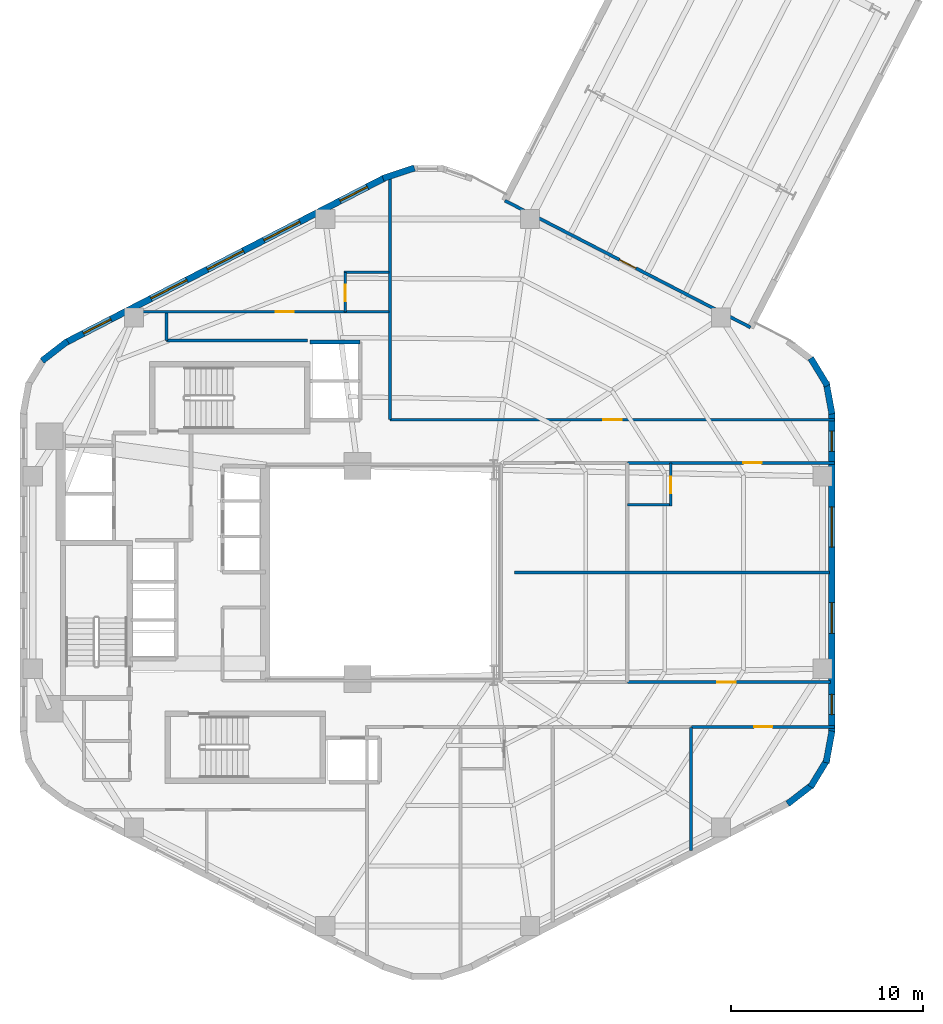
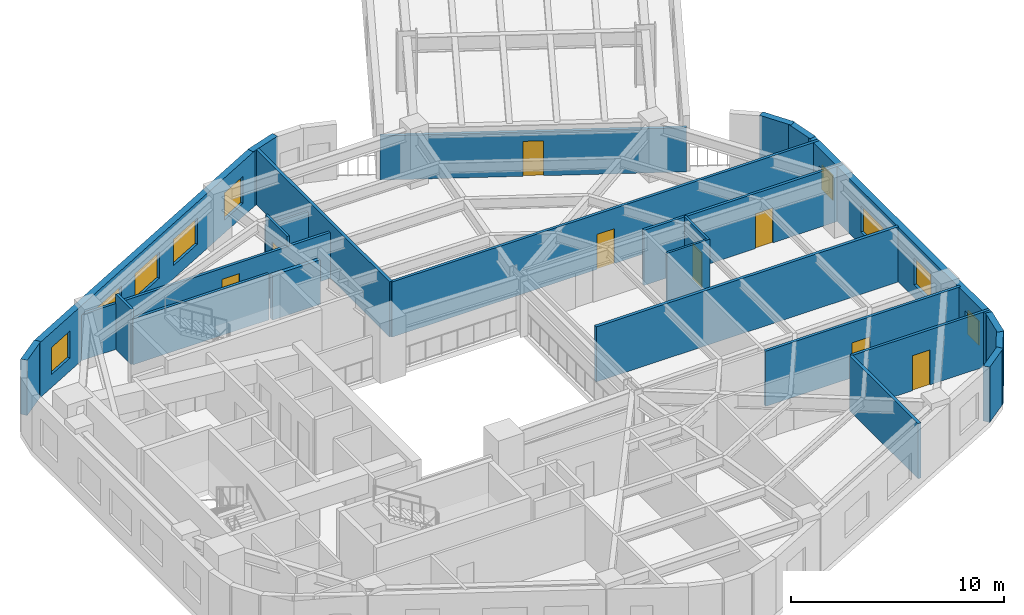
# One storey, part 7 of 10: 25 walls, 9 windows, 8 doors, 17 openings.
"""IFC4 building model written with IfcOpenShell, lengths in metres."""

from ifc_helpers import new_model, si_unit, direction, frame, frame_2d, origin, place, context, subcontext, project, spatial, rectangle, extrude, material, layer, layer_set, type_object, element, fill, save


model = new_model("IFC4")

# Units and contexts
model_context = context("Model", 3, precision=1e-05, world=origin(), true_north=direction((0.0, 1.0)))
body_context = subcontext(model_context, "Body", "Model", "MODEL_VIEW")
ifc_project = project(units=[si_unit("LENGTHUNIT", "METRE"), si_unit("AREAUNIT", "SQUARE_METRE"), si_unit("VOLUMEUNIT", "CUBIC_METRE"), si_unit("PLANEANGLEUNIT", "RADIAN"), si_unit("MASSUNIT", "GRAM", prefix="KILO"), si_unit("THERMODYNAMICTEMPERATUREUNIT", "KELVIN"), si_unit("POWERUNIT", "WATT")], contexts=[model_context])

# Site, building, storey
site_placement = place(None, origin())
site = spatial("IfcSite", under=ifc_project, at=site_placement, CompositionType="ELEMENT")
building_placement = place(site_placement, origin())
building = spatial("IfcBuilding", under=site, at=building_placement, Name="Skarre Station Tower", CompositionType="ELEMENT")
storey_placement = place(building_placement, frame((0.0, 0.0, 111.89990234375)))
storey = spatial("IfcBuildingStorey", under=building, at=storey_placement, Name="L29", CompositionType="ELEMENT", Elevation=111.89990234375)

# Wall, opening, door
ifc_material_1 = material(Name="Acoustic Steel-Stud Gypsum Partition", Category="steel")
ifc_layer_1 = layer(ifc_material_1, 0.14990234375, Name="Acoustic Steel-Stud Gypsum Partition")
ifc_layer_set_1 = layer_set([ifc_layer_1], Name="Acoustic Steel-Stud Gypsum Partition")
wall_type_1 = type_object("IfcWallType", Name="Fire-Rated Corridor Acoustic Partition 150", PredefinedType="PARTITIONING", material=ifc_layer_set_1)
wall_1_placement = place(storey_placement, frame((34.0, 37.580078125, 0.0), z_axis=(0.0, 0.0, 1.0), x_axis=(-1.0, 0.0, 0.0)))
wall_1 = element("IfcWall", 1, at=wall_1_placement, inside=storey, type_object=wall_type_1, Name="L29 Interior Partition WL-PT-L29-NWW1-CW", PredefinedType="PARTITIONING", context=body_context, shape_type="SweptSolid", body=[
    extrude(rectangle(XDim=13.70703125, YDim=0.14990234375, at=frame_2d((6.853515625, 0.0))), origin(), (0.0, 0.0, 1.0), 2.627197265625),
])
opening_1_placement = place(wall_1_placement, frame((4.9599609375, 0.0, 0.0)))
opening_1 = element("IfcOpeningElement", 2, at=opening_1_placement, cuts=wall_1, Name="Opening DR-FD60", PredefinedType="OPENING", context=body_context, shape_type="SweptSolid", body=[
    extrude(rectangle(XDim=0.9599609375, YDim=2.0, at=frame_2d((0.47998046875, 1.0))), frame((0.0, 0.0849609375, 0.0), z_axis=(0.0, -1.0, 0.0), x_axis=(1.0, 0.0, 0.0)), (0.0, 0.0, 1.0), 0.169921875),
])
ifc_material_2 = material(Name="Nordic White-Oak Veneer Solid-Core Fire Leaf", Category="wood")
door_type_1 = type_object("IfcDoorType", Name="Corridor Suite Entry Fire Door FD60 960x2150", OperationType="SINGLE_SWING_LEFT", PredefinedType="DOOR", material=ifc_material_2)
door_1_placement = place(opening_1_placement, origin())
door_1 = element("IfcDoor", 3, at=door_1_placement, inside=storey, type_object=door_type_1, Name="L29 NWW1 Entry Door", OperationType="SINGLE_SWING_LEFT", OverallHeight=2.0, OverallWidth=0.9599609375, PredefinedType="DOOR", context=body_context, shape_type="SweptSolid", body=[
    extrude(rectangle(XDim=0.9599609375, YDim=2.0, at=frame_2d((0.47998046875, 1.0))), frame((0.0, 0.02490234375, 0.0), z_axis=(0.0, -1.0, 0.0), x_axis=(1.0, 0.0, 0.0)), (0.0, 0.0, 1.0), 0.050048828125),
])
fill(opening_1, door_1)

wall_2_placement = place(storey_placement, frame((57.2080078125, 31.9599609375, 0.0), z_axis=(0.0, 0.0, 1.0), x_axis=(-1.0, 0.0, 0.0)))
wall_2 = element("IfcWall", 4, at=wall_2_placement, inside=storey, type_object=wall_type_1, Name="L29 Interior Partition WL-PT-L29-NW1-CW", PredefinedType="PARTITIONING", context=body_context, shape_type="SweptSolid", body=[
    extrude(rectangle(XDim=23.16796875, YDim=0.14990234375, at=frame_2d((11.583984375, 0.0))), origin(), (0.0, 0.0, 1.0), 3.16015625),
])
opening_2_placement = place(wall_2_placement, frame((11.090087890625, 0.0, 0.0)))
opening_2 = element("IfcOpeningElement", 5, at=opening_2_placement, cuts=wall_2, Name="Opening DR-FD60", PredefinedType="OPENING", context=body_context, shape_type="SweptSolid", body=[
    extrude(rectangle(XDim=0.9599609375, YDim=2.0, at=frame_2d((0.47998046875, 1.0))), frame((0.0, 0.0849609375, 0.0), z_axis=(0.0, -1.0, 0.0), x_axis=(1.0, 0.0, 0.0)), (0.0, 0.0, 1.0), 0.169921875),
])
door_2_placement = place(opening_2_placement, origin())
door_2 = element("IfcDoor", 6, at=door_2_placement, inside=storey, type_object=door_type_1, Name="L29 NW1 Entry Door", OperationType="SINGLE_SWING_LEFT", OverallHeight=2.0, OverallWidth=0.9599609375, PredefinedType="DOOR", context=body_context, shape_type="SweptSolid", body=[
    extrude(rectangle(XDim=0.9599609375, YDim=2.0, at=frame_2d((0.47998046875, 1.0))), frame((0.0, 0.02490234375, 0.0), z_axis=(0.0, -1.0, 0.0), x_axis=(1.0, 0.0, 0.0)), (0.0, 0.0, 1.0), 0.050048828125),
])
fill(opening_2, door_2)

wall_3_placement = place(storey_placement, frame((46.4130859375, 29.7099609375, 0.0), z_axis=(0.0, 0.0, 1.0), x_axis=(1.0, 0.0, 0.0)))
wall_3 = element("IfcWall", 7, at=wall_3_placement, inside=storey, type_object=wall_type_1, Name="L29 Interior Partition WL-PT-L29-EWN2-CW", PredefinedType="PARTITIONING", context=body_context, shape_type="SweptSolid", body=[
    extrude(rectangle(XDim=10.794921875, YDim=0.14990234375, at=frame_2d((5.3974609375, 0.0))), origin(), (0.0, 0.0, 1.0), 3.16015625),
])
opening_3_placement = place(wall_3_placement, frame((6.031982421875, 0.0, 0.0)))
opening_3 = element("IfcOpeningElement", 8, at=opening_3_placement, cuts=wall_3, Name="Opening DR-FD60", PredefinedType="OPENING", context=body_context, shape_type="SweptSolid", body=[
    extrude(rectangle(XDim=0.9599609375, YDim=2.0, at=frame_2d((0.47998046875, 1.0))), frame((0.0, 0.0849609375, 0.0), z_axis=(0.0, -1.0, 0.0), x_axis=(1.0, 0.0, 0.0)), (0.0, 0.0, 1.0), 0.169921875),
])
door_3_placement = place(opening_3_placement, origin())
door_3 = element("IfcDoor", 9, at=door_3_placement, inside=storey, type_object=door_type_1, Name="L29 EWN2 Entry Door", OperationType="SINGLE_SWING_LEFT", OverallHeight=2.0, OverallWidth=0.9599609375, PredefinedType="DOOR", context=body_context, shape_type="SweptSolid", body=[
    extrude(rectangle(XDim=0.9599609375, YDim=2.0, at=frame_2d((0.47998046875, 1.0))), frame((0.0, 0.02490234375, 0.0), z_axis=(0.0, -1.0, 0.0), x_axis=(1.0, 0.0, 0.0)), (0.0, 0.0, 1.0), 0.050048828125),
])
fill(opening_3, door_3)

wall_4_placement = place(storey_placement, frame((56.988037109375, 18.2900390625, 0.0), z_axis=(0.0, 0.0, 1.0), x_axis=(-1.0, 0.0, 0.0)))
wall_4 = element("IfcWall", 10, at=wall_4_placement, inside=storey, type_object=wall_type_1, Name="L29 Interior Partition WL-PT-L29-EWS2-CW", PredefinedType="PARTITIONING", context=body_context, shape_type="SweptSolid", body=[
    extrude(rectangle(XDim=10.5849609375, YDim=0.14990234375, at=frame_2d((5.29248046875, 0.0))), origin(), (0.0, 0.0, 1.0), 3.16015625),
])
opening_4_placement = place(wall_4_placement, frame((4.931884765625, 0.0, 0.0)))
opening_4 = element("IfcOpeningElement", 11, at=opening_4_placement, cuts=wall_4, Name="Opening DR-FD60", PredefinedType="OPENING", context=body_context, shape_type="SweptSolid", body=[
    extrude(rectangle(XDim=0.9599609375, YDim=2.0, at=frame_2d((0.47998046875, 1.0))), frame((0.0, 0.0849609375, 0.0), z_axis=(0.0, -1.0, 0.0), x_axis=(1.0, 0.0, 0.0)), (0.0, 0.0, 1.0), 0.169921875),
])
door_4_placement = place(opening_4_placement, origin())
door_4 = element("IfcDoor", 12, at=door_4_placement, inside=storey, type_object=door_type_1, Name="L29 EWS2 Entry Door", OperationType="SINGLE_SWING_LEFT", OverallHeight=2.0, OverallWidth=0.9599609375, PredefinedType="DOOR", context=body_context, shape_type="SweptSolid", body=[
    extrude(rectangle(XDim=0.9599609375, YDim=2.0, at=frame_2d((0.47998046875, 1.0))), frame((0.0, 0.02490234375, 0.0), z_axis=(0.0, -1.0, 0.0), x_axis=(1.0, 0.0, 0.0)), (0.0, 0.0, 1.0), 0.050048828125),
])
fill(opening_4, door_4)

wall_5_placement = place(storey_placement, frame((49.737060546875, 15.9599609375, 0.0), z_axis=(0.0, 0.0, 1.0), x_axis=(1.0, 0.0, 0.0)))
wall_5 = element("IfcWall", 13, at=wall_5_placement, inside=storey, type_object=wall_type_1, Name="L29 Interior Partition WL-PT-L29-SW4-CW", PredefinedType="PARTITIONING", context=body_context, shape_type="SweptSolid", body=[
    extrude(rectangle(XDim=7.470947265625, YDim=0.14990234375, at=frame_2d((3.7353515625, 0.0))), origin(), (0.0, 0.0, 1.0), 3.16015625),
])
opening_5_placement = place(wall_5_placement, frame((3.26904296875, 0.0, 0.0)))
opening_5 = element("IfcOpeningElement", 14, at=opening_5_placement, cuts=wall_5, Name="Opening DR-FD60", PredefinedType="OPENING", context=body_context, shape_type="SweptSolid", body=[
    extrude(rectangle(XDim=0.9599609375, YDim=2.0, at=frame_2d((0.47998046875, 1.0))), frame((0.0, 0.0849609375, 0.0), z_axis=(0.0, -1.0, 0.0), x_axis=(1.0, 0.0, 0.0)), (0.0, 0.0, 1.0), 0.169921875),
])
door_5_placement = place(opening_5_placement, origin())
door_5 = element("IfcDoor", 15, at=door_5_placement, inside=storey, type_object=door_type_1, Name="L29 SW4 Entry Door", OperationType="SINGLE_SWING_LEFT", OverallHeight=2.0, OverallWidth=0.9599609375, PredefinedType="DOOR", context=body_context, shape_type="SweptSolid", body=[
    extrude(rectangle(XDim=0.9599609375, YDim=2.0, at=frame_2d((0.47998046875, 1.0))), frame((0.0, 0.02490234375, 0.0), z_axis=(0.0, -1.0, 0.0), x_axis=(1.0, 0.0, 0.0)), (0.0, 0.0, 1.0), 0.050048828125),
])
fill(opening_5, door_5)

# Walls
wall_6_placement = place(storey_placement, frame((29.7529296875, 36.080078125, 0.0), z_axis=(0.0, 0.0, 1.0), x_axis=(-1.0, 0.0, 0.0)))
element("IfcWall", 16, at=wall_6_placement, inside=storey, type_object=wall_type_1, Name="L29 Interior Partition WL-PT-L29-CSEAL-1", PredefinedType="PARTITIONING", context=body_context, shape_type="SweptSolid", body=[
    extrude(rectangle(XDim=7.35302734375, YDim=0.14990234375, at=frame_2d((3.676513671875, 0.0))), origin(), (0.0, 0.0, 1.0), 2.627197265625),
])
wall_7_placement = place(storey_placement, frame((22.39990234375, 36.080078125, 0.0), z_axis=(0.0, 0.0, 1.0), x_axis=(0.0, 1.0, 0.0)))
element("IfcWall", 17, at=wall_7_placement, inside=storey, type_object=wall_type_1, Name="L29 Interior Partition WL-PT-L29-CSEAL-2", PredefinedType="PARTITIONING", context=body_context, shape_type="SweptSolid", body=[
    extrude(rectangle(XDim=1.429931640625, YDim=0.14990234375, at=frame_2d((0.71484375, 0.0))), origin(), (0.0, 0.0, 1.0), 3.16015625),
])
ifc_material_3 = material(Name="Insulated Timber-Stud Gypsum Partition", Category="wood")
ifc_layer_2 = layer(ifc_material_3, 0.1201171875, Name="Insulated Timber-Stud Gypsum Partition")
ifc_layer_set_2 = layer_set([ifc_layer_2], Name="Insulated Timber-Stud Gypsum Partition")
wall_type_2 = type_object("IfcWallType", Name="Internal Suite Acoustic Partition 120", PredefinedType="PARTITIONING", material=ifc_layer_set_2)
wall_8_placement = place(storey_placement, frame((34.0, 39.639892578125, 0.0), z_axis=(0.0, 0.0, 1.0), x_axis=(-1.0, 0.0, 0.0)))
element("IfcWall", 18, at=wall_8_placement, inside=storey, type_object=wall_type_2, Name="L29 Interior Partition WL-PT-L29-NWW1-EW3", PredefinedType="PARTITIONING", context=body_context, shape_type="SweptSolid", body=[
    extrude(rectangle(XDim=2.340087890625, YDim=0.1201171875, at=frame_2d((1.169921875, 0.0))), origin(), (0.0, 0.0, 1.0), 2.552001953125),
])

# Wall, opening, door
wall_9_placement = place(storey_placement, frame((31.719970703125, 39.639892578125, 0.0), z_axis=(0.0, 0.0, 1.0), x_axis=(0.0, -1.0, 0.0)))
wall_9 = element("IfcWall", 19, at=wall_9_placement, inside=storey, type_object=wall_type_2, Name="L29 Interior Partition WL-PT-L29-NWW1-EW4", PredefinedType="PARTITIONING", context=body_context, shape_type="SweptSolid", body=[
    extrude(rectangle(XDim=2.059814453125, YDim=0.1201171875, at=frame_2d((1.02978515625, 0.0))), origin(), (0.0, 0.0, 1.0), 3.16015625),
])
opening_6_placement = place(wall_9_placement, frame((0.64990234375, 0.0, 0.0)))
opening_6 = element("IfcOpeningElement", 20, at=opening_6_placement, cuts=wall_9, Name="Opening DR-INT86", PredefinedType="OPENING", context=body_context, shape_type="SweptSolid", body=[
    extrude(rectangle(XDim=0.860107421875, YDim=2.0, at=frame_2d((0.43017578125, 1.0))), frame((0.0, 0.070068359375, 0.0), z_axis=(0.0, -1.0, 0.0), x_axis=(1.0, 0.0, 0.0)), (0.0, 0.0, 1.0), 0.14013671875),
])
ifc_material_4 = material(Name="Nordic Birch Acoustic Solid-Core Timber Leaf", Category="wood")
door_type_2 = type_object("IfcDoorType", Name="Internal En-Suite & Bedroom Door 860x2100", OperationType="SINGLE_SWING_LEFT", PredefinedType="DOOR", material=ifc_material_4)
door_6_placement = place(opening_6_placement, origin())
door_6 = element("IfcDoor", 21, at=door_6_placement, inside=storey, type_object=door_type_2, Name="L29 NWW1 En-suite Door", OperationType="SINGLE_SWING_RIGHT", OverallHeight=2.0, OverallWidth=0.860107421875, PredefinedType="DOOR", context=body_context, shape_type="SweptSolid", body=[
    extrude(rectangle(XDim=0.860107421875, YDim=2.0, at=frame_2d((0.43017578125, 1.0))), frame((0.0, 0.02490234375, 0.0), z_axis=(0.0, -1.0, 0.0), x_axis=(1.0, 0.0, 0.0)), (0.0, 0.0, 1.0), 0.050048828125),
])
fill(opening_6, door_6)

wall_10_placement = place(storey_placement, frame((48.673095703125, 27.469970703125, 0.0), z_axis=(0.0, 0.0, 1.0), x_axis=(0.0, 1.0, 0.0)))
wall_10 = element("IfcWall", 22, at=wall_10_placement, inside=storey, type_object=wall_type_2, Name="L29 Interior Partition WL-PT-L29-EWN2-EW2", PredefinedType="PARTITIONING", context=body_context, shape_type="SweptSolid", body=[
    extrude(rectangle(XDim=2.239990234375, YDim=0.1201171875, at=frame_2d((1.1201171875, 0.0))), origin(), (0.0, 0.0, 1.0), 3.16015625),
])
opening_7_placement = place(wall_10_placement, frame((0.64990234375, 0.0, 0.0)))
opening_7 = element("IfcOpeningElement", 23, at=opening_7_placement, cuts=wall_10, Name="Opening DR-INT86", PredefinedType="OPENING", context=body_context, shape_type="SweptSolid", body=[
    extrude(rectangle(XDim=0.860107421875, YDim=2.0, at=frame_2d((0.43017578125, 1.0))), frame((0.0, 0.070068359375, 0.0), z_axis=(0.0, -1.0, 0.0), x_axis=(1.0, 0.0, 0.0)), (0.0, 0.0, 1.0), 0.14013671875),
])
door_7_placement = place(opening_7_placement, origin())
door_7 = element("IfcDoor", 24, at=door_7_placement, inside=storey, type_object=door_type_2, Name="L29 EWN2 En-suite Door", OperationType="SINGLE_SWING_RIGHT", OverallHeight=2.0, OverallWidth=0.860107421875, PredefinedType="DOOR", context=body_context, shape_type="SweptSolid", body=[
    extrude(rectangle(XDim=0.860107421875, YDim=2.0, at=frame_2d((0.43017578125, 1.0))), frame((0.0, 0.02490234375, 0.0), z_axis=(0.0, -1.0, 0.0), x_axis=(1.0, 0.0, 0.0)), (0.0, 0.0, 1.0), 0.050048828125),
])
fill(opening_7, door_7)

# Wall
wall_11_placement = place(storey_placement, frame((46.4130859375, 27.530029296875, 0.0), z_axis=(0.0, 0.0, 1.0), x_axis=(1.0, 0.0, 0.0)))
element("IfcWall", 25, at=wall_11_placement, inside=storey, type_object=wall_type_2, Name="L29 Interior Partition WL-PT-L29-EWN2-EW1", PredefinedType="PARTITIONING", context=body_context, shape_type="SweptSolid", body=[
    extrude(rectangle(XDim=2.31982421875, YDim=0.1201171875, at=frame_2d((1.159912109375, 0.0))), origin(), (0.0, 0.0, 1.0), 3.16015625),
])

# Wall, openings, windows
ifc_material_5 = material(Name="Precast concrete C45/55", Category="concrete")
ifc_layer_3 = layer(ifc_material_5, 0.340087890625, Name="Precast concrete C45/55")
ifc_layer_set_3 = layer_set([ifc_layer_3], Name="Precast concrete C45/55")
wall_type_3 = type_object("IfcWallType", Name="Nordic Honed Precast Facet Wall 340", PredefinedType="STANDARD", material=ifc_layer_set_3)
wall_12_placement = place(storey_placement, frame((17.1689453125, 35.989990234375, 0.0), z_axis=(0.0, 0.0, 1.0), x_axis=(0.888613612362, 0.458656568606, 0.0)))
wall_12 = element("IfcWall", 26, at=wall_12_placement, inside=storey, type_object=wall_type_3, Name="L29 Facet 1 Nordic Precast Masonry Wall", PredefinedType="STANDARD", context=body_context, shape_type="SweptSolid", body=[
    extrude(rectangle(XDim=18.680908203125, YDim=0.340087890625, at=frame_2d((9.34033203125, 0.0))), origin(), (0.0, 0.0, 1.0), 3.16015625),
])
opening_8_placement = place(wall_12_placement, frame((1.02294921875, 0.0, 0.75)))
opening_8 = element("IfcOpeningElement", 27, at=opening_8_placement, cuts=wall_12, Name="Opening WN-Z2A", PredefinedType="OPENING", context=body_context, shape_type="SweptSolid", body=[
    extrude(rectangle(XDim=1.60009765625, YDim=1.550048828125, at=frame_2d((0.800048828125, 0.77490234375))), frame((0.0, 0.179931640625, 0.0), z_axis=(0.0, -1.0, 0.0), x_axis=(1.0, 0.0, 0.0)), (0.0, 0.0, 1.0), 0.360107421875),
])
opening_9_placement = place(wall_12_placement, frame((4.98095703125, 0.0, 0.75)))
opening_9 = element("IfcOpeningElement", 28, at=opening_9_placement, cuts=wall_12, Name="Opening WN-Z2B", PredefinedType="OPENING", context=body_context, shape_type="SweptSolid", body=[
    extrude(rectangle(XDim=2.10009765625, YDim=1.5, at=frame_2d((1.050048828125, 0.75))), frame((0.0, 0.179931640625, 0.0), z_axis=(0.0, -1.0, 0.0), x_axis=(1.0, 0.0, 0.0)), (0.0, 0.0, 1.0), 0.360107421875),
])
opening_10_placement = place(wall_12_placement, frame((8.2900390625, 0.0, 0.75)))
opening_10 = element("IfcOpeningElement", 29, at=opening_10_placement, cuts=wall_12, Name="Opening WN-Z2B", PredefinedType="OPENING", context=body_context, shape_type="SweptSolid", body=[
    extrude(rectangle(XDim=2.10009765625, YDim=1.5, at=frame_2d((1.050048828125, 0.75))), frame((0.0, 0.179931640625, 0.0), z_axis=(0.0, -1.0, 0.0), x_axis=(1.0, 0.0, 0.0)), (0.0, 0.0, 1.0), 0.360107421875),
])
opening_11_placement = place(wall_12_placement, frame((11.60009765625, 0.0, 0.75)))
opening_11 = element("IfcOpeningElement", 30, at=opening_11_placement, cuts=wall_12, Name="Opening WN-Z2B", PredefinedType="OPENING", context=body_context, shape_type="SweptSolid", body=[
    extrude(rectangle(XDim=2.10009765625, YDim=1.5, at=frame_2d((1.050048828125, 0.75))), frame((0.0, 0.179931640625, 0.0), z_axis=(0.0, -1.0, 0.0), x_axis=(1.0, 0.0, 0.0)), (0.0, 0.0, 1.0), 0.360107421875),
])
opening_12_placement = place(wall_12_placement, frame((16.05810546875, 0.0, 0.75)))
opening_12 = element("IfcOpeningElement", 31, at=opening_12_placement, cuts=wall_12, Name="Opening WN-Z2A", PredefinedType="OPENING", context=body_context, shape_type="SweptSolid", body=[
    extrude(rectangle(XDim=1.60009765625, YDim=1.550048828125, at=frame_2d((0.800048828125, 0.77490234375))), frame((0.0, 0.179931640625, 0.0), z_axis=(0.0, -1.0, 0.0), x_axis=(1.0, 0.0, 0.0)), (0.0, 0.0, 1.0), 0.360107421875),
])
ifc_material_6 = material(Name="Low-Iron Triple Glazing with Bronze Anodized Frame", Category="glass")
window_type_1 = type_object("IfcWindowType", Name="Nordic Residential Tall Window 1600x1550", PartitioningType="SINGLE_PANEL", PredefinedType="WINDOW", material=ifc_material_6)
window_1_placement = place(opening_8_placement, origin())
window_1 = element("IfcWindow", 32, at=window_1_placement, inside=storey, type_object=window_type_1, Name="L29 Facade Window WL-FAC-L29-F1-1", OverallHeight=1.550048828125, OverallWidth=1.60009765625, PartitioningType="SINGLE_PANEL", PredefinedType="WINDOW", context=body_context, shape_type="SweptSolid", body=[
    extrude(rectangle(XDim=1.60009765625, YDim=1.550048828125, at=frame_2d((0.800048828125, 0.77490234375))), frame((0.0, 0.030029296875, 0.0), z_axis=(0.0, -1.0, 0.0), x_axis=(1.0, 0.0, 0.0)), (0.0, 0.0, 1.0), 0.06005859375),
])
fill(opening_8, window_1)
window_2_placement = place(opening_12_placement, origin())
window_2 = element("IfcWindow", 33, at=window_2_placement, inside=storey, type_object=window_type_1, Name="L29 Facade Window WL-FAC-L29-F1-5", OverallHeight=1.550048828125, OverallWidth=1.60009765625, PartitioningType="SINGLE_PANEL", PredefinedType="WINDOW", context=body_context, shape_type="SweptSolid", body=[
    extrude(rectangle(XDim=1.60009765625, YDim=1.550048828125, at=frame_2d((0.800048828125, 0.77490234375))), frame((0.0, 0.030029296875, 0.0), z_axis=(0.0, -1.0, 0.0), x_axis=(1.0, 0.0, 0.0)), (0.0, 0.0, 1.0), 0.06005859375),
])
fill(opening_12, window_2)
window_type_2 = type_object("IfcWindowType", Name="Nordic Residential Twin Window 2100x1500", PartitioningType="SINGLE_PANEL", PredefinedType="WINDOW", material=ifc_material_6)
window_3_placement = place(opening_9_placement, origin())
window_3 = element("IfcWindow", 34, at=window_3_placement, inside=storey, type_object=window_type_2, Name="L29 Facade Window WL-FAC-L29-F1-2", OverallHeight=1.5, OverallWidth=2.10009765625, PartitioningType="SINGLE_PANEL", PredefinedType="WINDOW", context=body_context, shape_type="SweptSolid", body=[
    extrude(rectangle(XDim=2.10009765625, YDim=1.5, at=frame_2d((1.050048828125, 0.75))), frame((0.0, 0.030029296875, 0.0), z_axis=(0.0, -1.0, 0.0), x_axis=(1.0, 0.0, 0.0)), (0.0, 0.0, 1.0), 0.06005859375),
])
fill(opening_9, window_3)
window_4_placement = place(opening_10_placement, origin())
window_4 = element("IfcWindow", 35, at=window_4_placement, inside=storey, type_object=window_type_2, Name="L29 Facade Window WL-FAC-L29-F1-3", OverallHeight=1.5, OverallWidth=2.10009765625, PartitioningType="SINGLE_PANEL", PredefinedType="WINDOW", context=body_context, shape_type="SweptSolid", body=[
    extrude(rectangle(XDim=2.10009765625, YDim=1.5, at=frame_2d((1.050048828125, 0.75))), frame((0.0, 0.030029296875, 0.0), z_axis=(0.0, -1.0, 0.0), x_axis=(1.0, 0.0, 0.0)), (0.0, 0.0, 1.0), 0.06005859375),
])
fill(opening_10, window_4)
window_5_placement = place(opening_11_placement, origin())
window_5 = element("IfcWindow", 36, at=window_5_placement, inside=storey, type_object=window_type_2, Name="L29 Facade Window WL-FAC-L29-F1-4", OverallHeight=1.5, OverallWidth=2.10009765625, PartitioningType="SINGLE_PANEL", PredefinedType="WINDOW", context=body_context, shape_type="SweptSolid", body=[
    extrude(rectangle(XDim=2.10009765625, YDim=1.5, at=frame_2d((1.050048828125, 0.75))), frame((0.0, 0.030029296875, 0.0), z_axis=(0.0, -1.0, 0.0), x_axis=(1.0, 0.0, 0.0)), (0.0, 0.0, 1.0), 0.06005859375),
])
fill(opening_11, window_5)

wall_13_placement = place(storey_placement, frame((57.048095703125, 32.35205078125, 0.0), z_axis=(0.0, 0.0, 1.0), x_axis=(0.0, -1.0, 0.0)))
wall_13 = element("IfcWall", 37, at=wall_13_placement, inside=storey, type_object=wall_type_3, Name="L29 Facet 5 Nordic Precast Masonry Wall", PredefinedType="STANDARD", context=body_context, shape_type="SweptSolid", body=[
    extrude(rectangle(XDim=16.7041015625, YDim=0.340087890625, at=frame_2d((8.35205078125, 0.0))), origin(), (0.0, 0.0, 1.0), 3.16015625),
])
opening_13_placement = place(wall_13_placement, frame((0.991943359375, 0.0, 0.75)))
opening_13 = element("IfcOpeningElement", 38, at=opening_13_placement, cuts=wall_13, Name="Opening WN-SLT", PredefinedType="OPENING", context=body_context, shape_type="SweptSolid", body=[
    extrude(rectangle(XDim=1.050048828125, YDim=1.39990234375, at=frame_2d((0.52490234375, 0.699951171875))), frame((0.0, 0.179931640625, 0.0), z_axis=(0.0, -1.0, 0.0), x_axis=(1.0, 0.0, 0.0)), (0.0, 0.0, 1.0), 0.360107421875),
])
opening_14_placement = place(wall_13_placement, frame((4.93505859375, 0.0, 0.75)))
opening_14 = element("IfcOpeningElement", 39, at=opening_14_placement, cuts=wall_13, Name="Opening WN-Z2B", PredefinedType="OPENING", context=body_context, shape_type="SweptSolid", body=[
    extrude(rectangle(XDim=2.10009765625, YDim=1.5, at=frame_2d((1.050048828125, 0.75))), frame((0.0, 0.179931640625, 0.0), z_axis=(0.0, -1.0, 0.0), x_axis=(1.0, 0.0, 0.0)), (0.0, 0.0, 1.0), 0.360107421875),
])
opening_15_placement = place(wall_13_placement, frame((9.9189453125, 0.0, 0.75)))
opening_15 = element("IfcOpeningElement", 40, at=opening_15_placement, cuts=wall_13, Name="Opening WN-Z2A", PredefinedType="OPENING", context=body_context, shape_type="SweptSolid", body=[
    extrude(rectangle(XDim=1.60009765625, YDim=1.550048828125, at=frame_2d((0.800048828125, 0.77490234375))), frame((0.0, 0.179931640625, 0.0), z_axis=(0.0, -1.0, 0.0), x_axis=(1.0, 0.0, 0.0)), (0.0, 0.0, 1.0), 0.360107421875),
])
opening_16_placement = place(wall_13_placement, frame((14.701904296875, 0.0, 0.75)))
opening_16 = element("IfcOpeningElement", 41, at=opening_16_placement, cuts=wall_13, Name="Opening WN-SLT", PredefinedType="OPENING", context=body_context, shape_type="SweptSolid", body=[
    extrude(rectangle(XDim=1.050048828125, YDim=1.39990234375, at=frame_2d((0.52490234375, 0.699951171875))), frame((0.0, 0.179931640625, 0.0), z_axis=(0.0, -1.0, 0.0), x_axis=(1.0, 0.0, 0.0)), (0.0, 0.0, 1.0), 0.360107421875),
])
window_type_3 = type_object("IfcWindowType", Name="Nordic Corner Slot Window 1050x1400", PartitioningType="SINGLE_PANEL", PredefinedType="WINDOW", material=ifc_material_6)
window_6_placement = place(opening_13_placement, origin())
window_6 = element("IfcWindow", 42, at=window_6_placement, inside=storey, type_object=window_type_3, Name="L29 Facade Window WL-FAC-L29-F5-1", OverallHeight=1.39990234375, OverallWidth=1.050048828125, PartitioningType="SINGLE_PANEL", PredefinedType="WINDOW", context=body_context, shape_type="SweptSolid", body=[
    extrude(rectangle(XDim=1.050048828125, YDim=1.39990234375, at=frame_2d((0.52490234375, 0.699951171875))), frame((0.0, 0.030029296875, 0.0), z_axis=(0.0, -1.0, 0.0), x_axis=(1.0, 0.0, 0.0)), (0.0, 0.0, 1.0), 0.06005859375),
])
fill(opening_13, window_6)
window_7_placement = place(opening_16_placement, origin())
window_7 = element("IfcWindow", 43, at=window_7_placement, inside=storey, type_object=window_type_3, Name="L29 Facade Window WL-FAC-L29-F5-4", OverallHeight=1.39990234375, OverallWidth=1.050048828125, PartitioningType="SINGLE_PANEL", PredefinedType="WINDOW", context=body_context, shape_type="SweptSolid", body=[
    extrude(rectangle(XDim=1.050048828125, YDim=1.39990234375, at=frame_2d((0.52490234375, 0.699951171875))), frame((0.0, 0.030029296875, 0.0), z_axis=(0.0, -1.0, 0.0), x_axis=(1.0, 0.0, 0.0)), (0.0, 0.0, 1.0), 0.06005859375),
])
fill(opening_16, window_7)
window_8_placement = place(opening_15_placement, origin())
window_8 = element("IfcWindow", 44, at=window_8_placement, inside=storey, type_object=window_type_1, Name="L29 Facade Window WL-FAC-L29-F5-3", OverallHeight=1.550048828125, OverallWidth=1.60009765625, PartitioningType="SINGLE_PANEL", PredefinedType="WINDOW", context=body_context, shape_type="SweptSolid", body=[
    extrude(rectangle(XDim=1.60009765625, YDim=1.550048828125, at=frame_2d((0.800048828125, 0.77490234375))), frame((0.0, 0.030029296875, 0.0), z_axis=(0.0, -1.0, 0.0), x_axis=(1.0, 0.0, 0.0)), (0.0, 0.0, 1.0), 0.06005859375),
])
fill(opening_15, window_8)
window_9_placement = place(opening_14_placement, origin())
window_9 = element("IfcWindow", 45, at=window_9_placement, inside=storey, type_object=window_type_2, Name="L29 Facade Window WL-FAC-L29-F5-2", OverallHeight=1.5, OverallWidth=2.10009765625, PartitioningType="SINGLE_PANEL", PredefinedType="WINDOW", context=body_context, shape_type="SweptSolid", body=[
    extrude(rectangle(XDim=2.10009765625, YDim=1.5, at=frame_2d((1.050048828125, 0.75))), frame((0.0, 0.030029296875, 0.0), z_axis=(0.0, -1.0, 0.0), x_axis=(1.0, 0.0, 0.0)), (0.0, 0.0, 1.0), 0.06005859375),
])
fill(opening_14, window_9)

# Walls
ifc_layer_4 = layer(ifc_material_5, 0.330078125, Name="Precast concrete C45/55")
ifc_layer_set_4 = layer_set([ifc_layer_4], Name="Precast concrete C45/55")
wall_type_4 = type_object("IfcWallType", Name="Nordic Rounded Corner Precast Wall 330", PredefinedType="STANDARD", material=ifc_layer_set_4)
wall_14_placement = place(storey_placement, frame((55.95703125, 35.1640625, 0.0), z_axis=(0.0, 0.0, 1.0), x_axis=(0.520519429557, -0.853849824883, 0.0)))
element("IfcWall", 46, at=wall_14_placement, inside=storey, type_object=wall_type_4, Name="L29 Rounded Corner Precast Wall F0-2", PredefinedType="STANDARD", context=body_context, shape_type="SweptSolid", body=[
    extrude(rectangle(XDim=1.67724609375, YDim=0.330078125, at=frame_2d((0.838623046875, 0.0))), origin(), (0.0, 0.0, 1.0), 3.16015625),
])
wall_15_placement = place(storey_placement, frame((56.762939453125, 33.906982421875, 0.0), z_axis=(0.0, 0.0, 1.0), x_axis=(0.181984991895, -0.983301308209, 0.0)))
element("IfcWall", 47, at=wall_15_placement, inside=storey, type_object=wall_type_4, Name="L29 Rounded Corner Precast Wall F0-3", PredefinedType="STANDARD", context=body_context, shape_type="SweptSolid", body=[
    extrude(rectangle(XDim=1.677001953125, YDim=0.330078125, at=frame_2d((0.83837890625, 0.0))), origin(), (0.0, 0.0, 1.0), 3.16015625),
])
wall_16_placement = place(storey_placement, frame((33.680908203125, 44.531982421875, 0.0), z_axis=(0.0, 0.0, 1.0), x_axis=(0.949937416267, 0.312440242569, 0.0)))
element("IfcWall", 48, at=wall_16_placement, inside=storey, type_object=wall_type_4, Name="L29 Rounded Corner Precast Wall F1-1", PredefinedType="STANDARD", context=body_context, shape_type="SweptSolid", body=[
    extrude(rectangle(XDim=1.72216796875, YDim=0.330078125, at=frame_2d((0.861083984375, 0.0))), origin(), (0.0, 0.0, 1.0), 3.16015625),
])
wall_17_placement = place(storey_placement, frame((15.91796875, 35.02392578125, 0.0), z_axis=(0.0, 0.0, 1.0), x_axis=(0.790621329885, 0.612305408053, 0.0)))
element("IfcWall", 49, at=wall_17_placement, inside=storey, type_object=wall_type_4, Name="L29 Rounded Corner Precast Wall F2-3", PredefinedType="STANDARD", context=body_context, shape_type="SweptSolid", body=[
    extrude(rectangle(XDim=1.67578125, YDim=0.330078125, at=frame_2d((0.837890625, 0.0))), origin(), (0.0, 0.0, 1.0), 3.16015625),
])
wall_18_placement = place(storey_placement, frame((57.068115234375, 15.741943359375, 0.0), z_axis=(0.0, 0.0, 1.0), x_axis=(-0.181984991895, -0.983301308209, 0.0)))
element("IfcWall", 50, at=wall_18_placement, inside=storey, type_object=wall_type_4, Name="L29 Rounded Corner Precast Wall F5-1", PredefinedType="STANDARD", context=body_context, shape_type="SweptSolid", body=[
    extrude(rectangle(XDim=1.677001953125, YDim=0.330078125, at=frame_2d((0.83837890625, 0.0))), origin(), (0.0, 0.0, 1.0), 3.16015625),
])
wall_19_placement = place(storey_placement, frame((56.830078125, 14.26806640625, 0.0), z_axis=(0.0, 0.0, 1.0), x_axis=(-0.520519429557, -0.853849824883, 0.0)))
element("IfcWall", 51, at=wall_19_placement, inside=storey, type_object=wall_type_4, Name="L29 Rounded Corner Precast Wall F5-2", PredefinedType="STANDARD", context=body_context, shape_type="SweptSolid", body=[
    extrude(rectangle(XDim=1.67724609375, YDim=0.330078125, at=frame_2d((0.838623046875, 0.0))), origin(), (0.0, 0.0, 1.0), 3.16015625),
])
wall_20_placement = place(storey_placement, frame((56.08203125, 12.97607421875, 0.0), z_axis=(0.0, 0.0, 1.0), x_axis=(-0.790621329885, -0.612305408053, 0.0)))
element("IfcWall", 52, at=wall_20_placement, inside=storey, type_object=wall_type_4, Name="L29 Rounded Corner Precast Wall F5-3", PredefinedType="STANDARD", context=body_context, shape_type="SweptSolid", body=[
    extrude(rectangle(XDim=1.67578125, YDim=0.330078125, at=frame_2d((0.837890625, 0.0))), origin(), (0.0, 0.0, 1.0), 3.16015625),
])
ifc_material_7 = material(Name="Gypsum Concrete Shaft Assembly C30/37", Category="concrete")
ifc_layer_5 = layer(ifc_material_7, 0.199951171875, Name="Gypsum Concrete Shaft Assembly C30/37")
ifc_layer_set_5 = layer_set([ifc_layer_5], Name="Gypsum Concrete Shaft Assembly C30/37")
wall_type_5 = type_object("IfcWallType", Name="Shaft & Core Fire Partition 200", PredefinedType="PARTITIONING", material=ifc_layer_set_5)
wall_21_placement = place(storey_placement, frame((29.8798828125, 36.0, 0.0), z_axis=(0.0, 0.0, 1.0), x_axis=(1.0, 0.0, 0.0)))
element("IfcWall", 53, at=wall_21_placement, inside=storey, type_object=wall_type_5, Name="L29 Interior Partition WL-PT-L29-EX-N", PredefinedType="PARTITIONING", context=body_context, shape_type="SweptSolid", body=[
    extrude(rectangle(XDim=2.60009765625, YDim=0.199951171875, at=frame_2d((1.300048828125, 0.0))), origin(), (0.0, 0.0, 1.0), 2.552001953125),
])
ifc_layer_6 = layer(ifc_material_1, 0.1650390625, Name="Acoustic Steel-Stud Gypsum Partition")
ifc_layer_set_6 = layer_set([ifc_layer_6], Name="Acoustic Steel-Stud Gypsum Partition")
wall_type_6 = type_object("IfcWallType", Name="Suite Demising Acoustic Partition 165", PredefinedType="PARTITIONING", material=ifc_layer_set_6)
wall_22_placement = place(storey_placement, frame((34.0400390625, 31.9599609375, 0.0), z_axis=(0.0, 0.0, 1.0), x_axis=(0.0, 1.0, 0.0)))
element("IfcWall", 54, at=wall_22_placement, inside=storey, type_object=wall_type_6, Name="L29 Interior Partition WL-PT-L29-NW-WBND", PredefinedType="PARTITIONING", context=body_context, shape_type="SweptSolid", body=[
    extrude(rectangle(XDim=12.55810546875, YDim=0.1650390625, at=frame_2d((6.279052734375, 0.0))), origin(), (0.0, 0.0, 1.0), 3.16015625),
])
wall_23_placement = place(storey_placement, frame((40.52001953125, 24.0, 0.0), z_axis=(0.0, 0.0, 1.0), x_axis=(1.0, 0.0, 0.0)))
element("IfcWall", 55, at=wall_23_placement, inside=storey, type_object=wall_type_6, Name="L29 Interior Partition WL-PT-L29-EW-Z2MID", PredefinedType="PARTITIONING", context=body_context, shape_type="SweptSolid", body=[
    extrude(rectangle(XDim=16.407958984375, YDim=0.1650390625, at=frame_2d((8.2041015625, 0.0))), origin(), (0.0, 0.0, 1.0), 3.16015625),
])
wall_24_placement = place(storey_placement, frame((49.718994140625, 9.507080078125, 0.0), z_axis=(0.0, 0.0, 1.0), x_axis=(0.0, 1.0, 0.0)))
element("IfcWall", 56, at=wall_24_placement, inside=storey, type_object=wall_type_6, Name="L29 Interior Partition WL-PT-L29-SW-P3", PredefinedType="PARTITIONING", context=body_context, shape_type="SweptSolid", body=[
    extrude(rectangle(XDim=6.4228515625, YDim=0.1650390625, at=frame_2d((3.21142578125, 0.0))), origin(), (0.0, 0.0, 1.0), 3.16015625),
])

# Wall, opening, door
wall_25_placement = place(storey_placement, frame((52.822998046875, 36.76708984375, 0.0), z_axis=(0.0, 0.0, 1.0), x_axis=(-0.888588109751, 0.458705974683, 0.0)))
wall_25 = element("IfcWall", 57, at=wall_25_placement, inside=storey, type_object=wall_type_6, Name="L29 Interior Partition WL-PT-L29-SB-2-ROOT", PredefinedType="PARTITIONING", context=body_context, shape_type="SweptSolid", body=[
    extrude(rectangle(XDim=14.399169921875, YDim=0.1650390625, at=frame_2d((7.19970703125, 0.0))), origin(), (0.0, 0.0, 1.0), 2.531982421875),
])
opening_17_placement = place(wall_25_placement, frame((6.719970703125, 0.0, 0.0)))
opening_17 = element("IfcOpeningElement", 58, at=opening_17_placement, cuts=wall_25, Name="Opening DR-FD60", PredefinedType="OPENING", context=body_context, shape_type="SweptSolid", body=[
    extrude(rectangle(XDim=0.9599609375, YDim=2.0, at=frame_2d((0.47998046875, 1.0))), frame((0.0, 0.092529296875, 0.0), z_axis=(0.0, -1.0, 0.0), x_axis=(1.0, 0.0, 0.0)), (0.0, 0.0, 1.0), 0.18505859375),
])
door_8_placement = place(opening_17_placement, origin())
door_8 = element("IfcDoor", 59, at=door_8_placement, inside=storey, type_object=door_type_1, Name="L29 SB-2 Horizon Salon Door", OperationType="SINGLE_SWING_LEFT", OverallHeight=2.0, OverallWidth=0.9599609375, PredefinedType="DOOR", context=body_context, shape_type="SweptSolid", body=[
    extrude(rectangle(XDim=0.9599609375, YDim=2.0, at=frame_2d((0.47998046875, 1.0))), frame((0.0, 0.02490234375, 0.0), z_axis=(0.0, -1.0, 0.0), x_axis=(1.0, 0.0, 0.0)), (0.0, 0.0, 1.0), 0.050048828125),
])
fill(opening_17, door_8)

save(model, "model.ifc")
